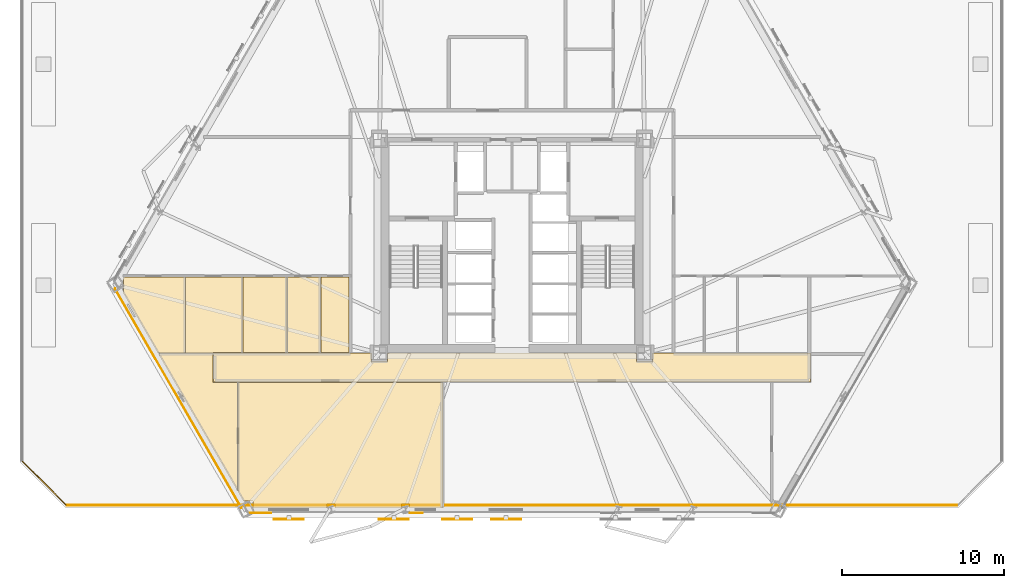
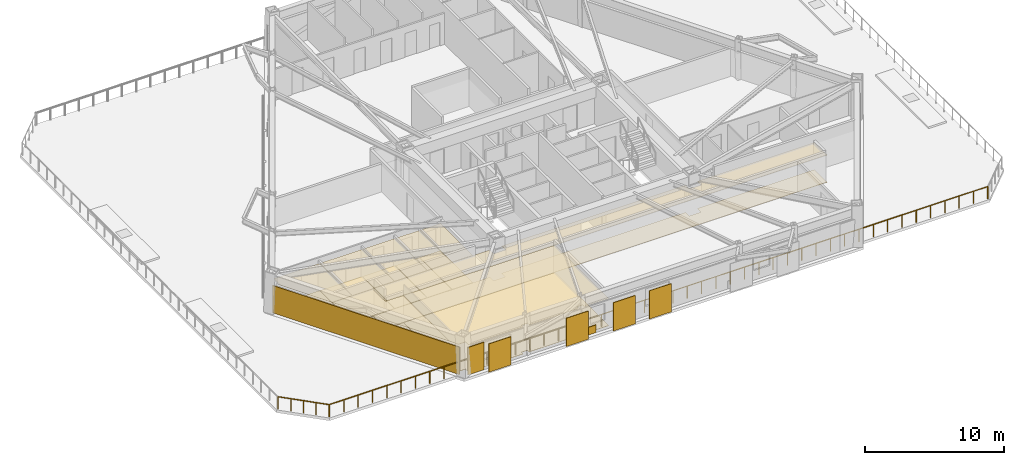
# One storey, part 7 of 14: 19 coverings, 4 shading devices, 2 railings.
"""IFC4 building model written with IfcOpenShell, lengths in metres."""

from ifc_helpers import new_model, si_unit, direction, frame, origin, origin_2d, place, context, subcontext, project, spatial, polyline, rectangle, circle, outline, extrude, material, layer, layer_set, type_object, element, save


model = new_model("IFC4")

# Units and contexts
model_context = context("Model", 3, precision=1e-05, world=origin(), true_north=direction((0.0, 1.0)))
body_context = subcontext(model_context, "Body", "Model", "MODEL_VIEW")
ifc_project = project(units=[si_unit("LENGTHUNIT", "METRE"), si_unit("AREAUNIT", "SQUARE_METRE"), si_unit("VOLUMEUNIT", "CUBIC_METRE"), si_unit("PLANEANGLEUNIT", "RADIAN"), si_unit("MASSUNIT", "GRAM", prefix="KILO")], contexts=[model_context])

# Site, building, storey
site_placement = place(None, origin())
site = spatial("IfcSite", under=ifc_project, at=site_placement, CompositionType="ELEMENT")
building_placement = place(site_placement, origin())
building = spatial("IfcBuilding", under=site, at=building_placement, Name="Oramaril Tower", CompositionType="ELEMENT")
storey_placement = place(building_placement, frame((0.0, 0.0, 27.300048828125)))
storey = spatial("IfcBuildingStorey", under=building, at=storey_placement, Name="L06", CompositionType="ELEMENT", Elevation=27.300048828125)

# Coverings
ifc_material_1 = material(Name="Mineral Fibre Acoustic Ceiling")
ifc_layer_1 = layer(ifc_material_1, 0.02001953125)
ifc_layer_set_1 = layer_set([ifc_layer_1], Name="CVT-CEIL")
covering_type_1 = type_object("IfcCoveringType", Name="CVT-CEIL", PredefinedType="CEILING", material=ifc_layer_set_1)
covering_1_placement = place(storey_placement, frame((0.0, 0.0, 2.39990234375)))
element("IfcCovering", 1, at=covering_1_placement, inside=storey, type_object=covering_type_1, Name="L06 Acoustic Suspended Ceiling 1", PredefinedType="CEILING", context=body_context, shape_type="SweptSolid", body=[
    extrude(outline(polyline([(28.85498046875, 10.5048828125), (29.844970703125, 10.5048828125), (29.844970703125, 11.030029296875), (45.155029296875, 11.030029296875), (45.155029296875, 10.5048828125), (46.14501953125, 10.5048828125), (46.14501953125, 11.030029296875), (55.8798828125, 11.030029296875), (55.8798828125, 9.219970703125), (19.1201171875, 9.219970703125), (19.1201171875, 11.030029296875), (28.85498046875, 11.030029296875), (28.85498046875, 10.5048828125)])), origin(), (0.0, 0.0, 1.0), 0.02001953125),
])
covering_2_placement = place(storey_placement, frame((0.0, 0.0, 2.39990234375)))
element("IfcCovering", 2, at=covering_2_placement, inside=storey, type_object=covering_type_1, Name="L06 Acoustic Suspended Ceiling 6", PredefinedType="CEILING", context=body_context, shape_type="SweptSolid", body=[
    extrude(outline(polyline([(31.192138671875, 1.70263671875), (30.697998046875, 1.70263671875), (30.697998046875, 1.468017578125), (26.61083984375, 1.468017578125), (26.61083984375, 1.70263671875), (26.1025390625, 1.70263671875), (26.1025390625, 1.468017578125), (21.557861328125, 1.468017578125), (21.557861328125, 1.8857421875), (20.958984375, 1.8857421875), (20.611572265625, 2.48779296875), (20.611572265625, 9.199951171875), (33.241943359375, 9.199951171875), (33.241943359375, 1.468017578125), (31.192138671875, 1.468017578125), (31.192138671875, 1.70263671875)])), origin(), (0.0, 0.0, 1.0), 0.02001953125),
])
covering_3_placement = place(storey_placement, frame((0.0, 0.0, 2.39990234375)))
element("IfcCovering", 3, at=covering_3_placement, inside=storey, type_object=covering_type_1, Name="L06 Acoustic Suspended Ceiling 7", PredefinedType="CEILING", context=body_context, shape_type="SweptSolid", body=[
    extrude(outline(polyline([(15.70166015625, 10.991943359375), (19.10009765625, 10.991943359375), (19.10009765625, 9.219970703125), (19.10009765625, 9.218017578125), (19.100341796875, 9.216064453125), (19.100830078125, 9.214111328125), (19.1015625, 9.21240234375), (19.102294921875, 9.210693359375), (19.103515625, 9.208984375), (19.1044921875, 9.207275390625), (19.10595703125, 9.205810546875), (19.107421875, 9.20458984375), (19.10888671875, 9.203369140625), (19.110595703125, 9.202392578125), (19.1123046875, 9.201416015625), (19.1142578125, 9.200927734375), (19.1162109375, 9.200439453125), (19.117919921875, 9.2001953125), (19.1201171875, 9.199951171875), (20.591552734375, 9.199951171875), (20.591552734375, 2.5224609375), (15.70166015625, 10.991943359375)])), origin(), (0.0, 0.0, 1.0), 0.02001953125),
])
covering_4_placement = place(storey_placement, frame((0.0, 0.0, 2.39990234375)))
element("IfcCovering", 4, at=covering_4_placement, inside=storey, type_object=covering_type_1, Name="L06 Acoustic Suspended Ceiling 11", PredefinedType="CEILING", context=body_context, shape_type="SweptSolid", body=[
    extrude(outline(polyline([(13.512451171875, 14.78369140625), (13.576171875, 14.78369140625), (13.576171875, 15.701171875), (17.384033203125, 15.701171875), (17.384033203125, 11.011962890625), (15.70166015625, 11.011962890625), (15.69970703125, 11.011962890625), (15.69775390625, 11.01171875), (15.69580078125, 11.010986328125), (15.69384765625, 11.010498046875), (15.692138671875, 11.009521484375), (15.691650390625, 11.00927734375), (13.512451171875, 14.78369140625)])), origin(), (0.0, 0.0, 1.0), 0.02001953125),
])
covering_5_placement = place(storey_placement, frame((0.0, 0.0, 2.39990234375)))
element("IfcCovering", 5, at=covering_5_placement, inside=storey, type_object=covering_type_1, Name="L06 Acoustic Suspended Ceiling 12", PredefinedType="CEILING", context=body_context, shape_type="SweptSolid", body=[
    extrude(outline(polyline([(20.92236328125, 11.050048828125), (19.1201171875, 11.050048828125), (19.117919921875, 11.0498046875), (19.1162109375, 11.049560546875), (19.1142578125, 11.049072265625), (19.1123046875, 11.048583984375), (19.110595703125, 11.047607421875), (19.10888671875, 11.046630859375), (19.107421875, 11.04541015625), (19.10595703125, 11.044189453125), (19.1044921875, 11.042724609375), (19.103515625, 11.041015625), (19.102294921875, 11.039306640625), (19.1015625, 11.03759765625), (19.100830078125, 11.035888671875), (19.100341796875, 11.033935546875), (19.10009765625, 11.031982421875), (19.10009765625, 11.030029296875), (19.10009765625, 11.011962890625), (17.404052734375, 11.011962890625), (17.404052734375, 15.701171875), (20.92236328125, 15.701171875), (20.92236328125, 11.050048828125)])), origin(), (0.0, 0.0, 1.0), 0.02001953125),
])
covering_6_placement = place(storey_placement, frame((0.0, 0.0, 2.39990234375)))
element("IfcCovering", 6, at=covering_6_placement, inside=storey, type_object=covering_type_1, Name="L06 Acoustic Suspended Ceiling 13", PredefinedType="CEILING", context=body_context, shape_type="SweptSolid", body=[
    extrude(outline(polyline([(23.652099609375, 11.050048828125), (20.9423828125, 11.050048828125), (20.9423828125, 15.701171875), (23.652099609375, 15.701171875), (23.652099609375, 11.050048828125)])), origin(), (0.0, 0.0, 1.0), 0.02001953125),
])
covering_7_placement = place(storey_placement, frame((0.0, 0.0, 2.39990234375)))
element("IfcCovering", 7, at=covering_7_placement, inside=storey, type_object=covering_type_1, Name="L06 Acoustic Suspended Ceiling 14", PredefinedType="CEILING", context=body_context, shape_type="SweptSolid", body=[
    extrude(outline(polyline([(25.701904296875, 11.050048828125), (23.672119140625, 11.050048828125), (23.672119140625, 15.701171875), (25.701904296875, 15.701171875), (25.701904296875, 11.050048828125)])), origin(), (0.0, 0.0, 1.0), 0.02001953125),
])
covering_8_placement = place(storey_placement, frame((0.0, 0.0, 2.39990234375)))
element("IfcCovering", 8, at=covering_8_placement, inside=storey, type_object=covering_type_1, Name="L06 Acoustic Suspended Ceiling 15", PredefinedType="CEILING", context=body_context, shape_type="SweptSolid", body=[
    extrude(outline(polyline([(25.721923828125, 15.701171875), (27.449951171875, 15.701171875), (27.449951171875, 11.050048828125), (25.721923828125, 11.050048828125), (25.721923828125, 15.701171875)])), origin(), (0.0, 0.0, 1.0), 0.02001953125),
])
ifc_material_2 = material(Name="Warm Cream Limestone", Category="masonry")
ifc_layer_2 = layer(ifc_material_2, 0.050048828125)
ifc_layer_set_2 = layer_set([ifc_layer_2], Name="CVT-CLD")
covering_type_2 = type_object("IfcCoveringType", Name="CVT-CLD", PredefinedType="CLADDING", material=ifc_layer_set_2)
covering_9_placement = place(storey_placement, frame((16.94677734375, 8.2333984375, 0.0400390625), z_axis=(0.0, 0.0, 1.0), x_axis=(0.499996976998, -0.866027149108, 0.0)))
element("IfcCovering", 9, at=covering_9_placement, inside=storey, type_object=covering_type_2, Name="L06 Warm Cream Limestone Cladding", PredefinedType="CLADDING", context=body_context, shape_type="SweptSolid", body=[
    extrude(rectangle(XDim=15.596435546875, YDim=0.050048828125, at=origin_2d()), origin(), (0.0, 0.0, 1.0), 2.4140625),
])
covering_10_placement = place(storey_placement, frame((21.98779296875, 1.1669921875, 0.0400390625), z_axis=(0.0, 0.0, 1.0), x_axis=(1.0, 0.0, 0.0)))
element("IfcCovering", 10, at=covering_10_placement, inside=storey, type_object=covering_type_2, Name="L06 Warm Cream Limestone Cladding", PredefinedType="CLADDING", context=body_context, shape_type="SweptSolid", body=[
    extrude(rectangle(XDim=1.35009765625, YDim=0.050048828125, at=origin_2d()), origin(), (0.0, 0.0, 1.0), 2.4140625),
])
covering_11_placement = place(storey_placement, frame((31.609619140625, 1.1669921875, 0.0400390625), z_axis=(0.0, 0.0, 1.0), x_axis=(1.0, 0.0, 0.0)))
element("IfcCovering", 11, at=covering_11_placement, inside=storey, type_object=covering_type_2, Name="L06 Warm Cream Limestone Spandrel Cladding", PredefinedType="CLADDING", context=body_context, shape_type="SweptSolid", body=[
    extrude(rectangle(XDim=0.800048828125, YDim=0.050048828125, at=origin_2d()), origin(), (0.0, 0.0, 1.0), 0.679931640625),
])
ifc_material_3 = material(Name="Honed Quartzite Stone Flooring", Category="masonry")
ifc_layer_3 = layer(ifc_material_3, 0.02490234375)
ifc_layer_set_3 = layer_set([ifc_layer_3], Name="CVT-FLR")
covering_type_3 = type_object("IfcCoveringType", Name="CVT-FLR", PredefinedType="FLOORING", material=ifc_layer_set_3)
covering_12_placement = place(storey_placement, origin())
element("IfcCovering", 12, at=covering_12_placement, inside=storey, type_object=covering_type_3, Name="L06 Honed Stone Floor Finish 1", PredefinedType="FLOORING", context=body_context, shape_type="SweptSolid", body=[
    extrude(outline(polyline([(28.85498046875, 10.5048828125), (29.844970703125, 10.5048828125), (29.844970703125, 11.030029296875), (45.155029296875, 11.030029296875), (45.155029296875, 10.5048828125), (46.14501953125, 10.5048828125), (46.14501953125, 11.030029296875), (55.8798828125, 11.030029296875), (55.8798828125, 9.219970703125), (19.1201171875, 9.219970703125), (19.1201171875, 11.030029296875), (28.85498046875, 11.030029296875), (28.85498046875, 10.5048828125)])), origin(), (0.0, 0.0, 1.0), 0.02490234375),
])
covering_13_placement = place(storey_placement, origin())
element("IfcCovering", 13, at=covering_13_placement, inside=storey, type_object=covering_type_3, Name="L06 Honed Stone Floor Finish 6", PredefinedType="FLOORING", context=body_context, shape_type="SweptSolid", body=[
    extrude(outline(polyline([(31.192138671875, 1.70263671875), (30.697998046875, 1.70263671875), (30.697998046875, 1.468017578125), (26.61083984375, 1.468017578125), (26.61083984375, 1.70263671875), (26.1025390625, 1.70263671875), (26.1025390625, 1.468017578125), (21.557861328125, 1.468017578125), (21.557861328125, 1.8857421875), (20.958984375, 1.8857421875), (20.611572265625, 2.48779296875), (20.611572265625, 9.199951171875), (33.241943359375, 9.199951171875), (33.241943359375, 1.468017578125), (31.192138671875, 1.468017578125), (31.192138671875, 1.70263671875)])), origin(), (0.0, 0.0, 1.0), 0.02490234375),
])
covering_14_placement = place(storey_placement, origin())
element("IfcCovering", 14, at=covering_14_placement, inside=storey, type_object=covering_type_3, Name="L06 Honed Stone Floor Finish 7", PredefinedType="FLOORING", context=body_context, shape_type="SweptSolid", body=[
    extrude(outline(polyline([(15.70166015625, 10.991943359375), (19.10009765625, 10.991943359375), (19.10009765625, 9.219970703125), (19.10009765625, 9.218017578125), (19.100341796875, 9.216064453125), (19.100830078125, 9.214111328125), (19.1015625, 9.21240234375), (19.102294921875, 9.210693359375), (19.103515625, 9.208984375), (19.1044921875, 9.207275390625), (19.10595703125, 9.205810546875), (19.107421875, 9.20458984375), (19.10888671875, 9.203369140625), (19.110595703125, 9.202392578125), (19.1123046875, 9.201416015625), (19.1142578125, 9.200927734375), (19.1162109375, 9.200439453125), (19.117919921875, 9.2001953125), (19.1201171875, 9.199951171875), (20.591552734375, 9.199951171875), (20.591552734375, 2.5224609375), (15.70166015625, 10.991943359375)])), origin(), (0.0, 0.0, 1.0), 0.02490234375),
])
covering_15_placement = place(storey_placement, origin())
element("IfcCovering", 15, at=covering_15_placement, inside=storey, type_object=covering_type_3, Name="L06 Honed Stone Floor Finish 11", PredefinedType="FLOORING", context=body_context, shape_type="SweptSolid", body=[
    extrude(outline(polyline([(13.512451171875, 14.78369140625), (13.576171875, 14.78369140625), (13.576171875, 15.701171875), (17.384033203125, 15.701171875), (17.384033203125, 11.011962890625), (15.70166015625, 11.011962890625), (15.69970703125, 11.011962890625), (15.69775390625, 11.01171875), (15.69580078125, 11.010986328125), (15.69384765625, 11.010498046875), (15.692138671875, 11.009521484375), (15.691650390625, 11.00927734375), (13.512451171875, 14.78369140625)])), origin(), (0.0, 0.0, 1.0), 0.02490234375),
])
covering_16_placement = place(storey_placement, origin())
element("IfcCovering", 16, at=covering_16_placement, inside=storey, type_object=covering_type_3, Name="L06 Honed Stone Floor Finish 12", PredefinedType="FLOORING", context=body_context, shape_type="SweptSolid", body=[
    extrude(outline(polyline([(20.92236328125, 11.050048828125), (19.1201171875, 11.050048828125), (19.117919921875, 11.0498046875), (19.1162109375, 11.049560546875), (19.1142578125, 11.049072265625), (19.1123046875, 11.048583984375), (19.110595703125, 11.047607421875), (19.10888671875, 11.046630859375), (19.107421875, 11.04541015625), (19.10595703125, 11.044189453125), (19.1044921875, 11.042724609375), (19.103515625, 11.041015625), (19.102294921875, 11.039306640625), (19.1015625, 11.03759765625), (19.100830078125, 11.035888671875), (19.100341796875, 11.033935546875), (19.10009765625, 11.031982421875), (19.10009765625, 11.030029296875), (19.10009765625, 11.011962890625), (17.404052734375, 11.011962890625), (17.404052734375, 15.701171875), (20.92236328125, 15.701171875), (20.92236328125, 11.050048828125)])), origin(), (0.0, 0.0, 1.0), 0.02490234375),
])
covering_17_placement = place(storey_placement, origin())
element("IfcCovering", 17, at=covering_17_placement, inside=storey, type_object=covering_type_3, Name="L06 Honed Stone Floor Finish 13", PredefinedType="FLOORING", context=body_context, shape_type="SweptSolid", body=[
    extrude(outline(polyline([(23.652099609375, 11.050048828125), (20.9423828125, 11.050048828125), (20.9423828125, 15.701171875), (23.652099609375, 15.701171875), (23.652099609375, 11.050048828125)])), origin(), (0.0, 0.0, 1.0), 0.02490234375),
])
covering_18_placement = place(storey_placement, origin())
element("IfcCovering", 18, at=covering_18_placement, inside=storey, type_object=covering_type_3, Name="L06 Honed Stone Floor Finish 14", PredefinedType="FLOORING", context=body_context, shape_type="SweptSolid", body=[
    extrude(outline(polyline([(25.701904296875, 11.050048828125), (23.672119140625, 11.050048828125), (23.672119140625, 15.701171875), (25.701904296875, 15.701171875), (25.701904296875, 11.050048828125)])), origin(), (0.0, 0.0, 1.0), 0.02490234375),
])
covering_19_placement = place(storey_placement, origin())
element("IfcCovering", 19, at=covering_19_placement, inside=storey, type_object=covering_type_3, Name="L06 Honed Stone Floor Finish 15", PredefinedType="FLOORING", context=body_context, shape_type="SweptSolid", body=[
    extrude(outline(polyline([(25.721923828125, 15.701171875), (27.449951171875, 15.701171875), (27.449951171875, 11.050048828125), (25.721923828125, 11.050048828125), (25.721923828125, 15.701171875)])), origin(), (0.0, 0.0, 1.0), 0.02490234375),
])

# Railings
ifc_material_4 = material(Name="Stainless Steel 316L", Category="steel")
railing_type = type_object("IfcRailingType", Name="RLT-GRD", PredefinedType="GUARDRAIL", material=ifc_material_4)
railing_1_placement = place(storey_placement, frame((10.087890625, 1.639892578125, 0.0)))
element("IfcRailing", 20, at=railing_1_placement, inside=storey, type_object=railing_type, Name="L06 Podium Terrace Guardrail 01", PredefinedType="GUARDRAIL", context=body_context, shape_type="SweptSolid", body=[
    extrude(circle(Radius=0.02392578125, at=origin_2d()), frame((0.0, 0.0, 1.076171875), z_axis=(1.0, 0.0, 0.0), x_axis=(0.0, 1.0, 0.0)), (0.0, 0.0, 1.0), 54.82421875),
    extrude(circle(Radius=0.02099609375, at=origin_2d()), origin(), (0.0, 0.0, 1.0), 1.052001953125),
    extrude(circle(Radius=0.02099609375, at=origin_2d()), frame((1.19189453125, 0.0, 0.0)), (0.0, 0.0, 1.0), 1.052001953125),
    extrude(circle(Radius=0.02099609375, at=origin_2d()), frame((2.383544921875, 0.0, 0.0)), (0.0, 0.0, 1.0), 1.052001953125),
    extrude(circle(Radius=0.02099609375, at=origin_2d()), frame((3.575439453125, 0.0, 0.0)), (0.0, 0.0, 1.0), 1.052001953125),
    extrude(circle(Radius=0.02099609375, at=origin_2d()), frame((4.767333984375, 0.0, 0.0)), (0.0, 0.0, 1.0), 1.052001953125),
    extrude(circle(Radius=0.02099609375, at=origin_2d()), frame((5.959228515625, 0.0, 0.0)), (0.0, 0.0, 1.0), 1.052001953125),
    extrude(circle(Radius=0.02099609375, at=origin_2d()), frame((7.15087890625, 0.0, 0.0)), (0.0, 0.0, 1.0), 1.052001953125),
    extrude(circle(Radius=0.02099609375, at=origin_2d()), frame((8.3427734375, 0.0, 0.0)), (0.0, 0.0, 1.0), 1.052001953125),
    extrude(circle(Radius=0.02099609375, at=origin_2d()), frame((9.53466796875, 0.0, 0.0)), (0.0, 0.0, 1.0), 1.052001953125),
    extrude(circle(Radius=0.02099609375, at=origin_2d()), frame((10.7265625, 0.0, 0.0)), (0.0, 0.0, 1.0), 1.052001953125),
    extrude(circle(Radius=0.02099609375, at=origin_2d()), frame((11.918212890625, 0.0, 0.0)), (0.0, 0.0, 1.0), 1.052001953125),
    extrude(circle(Radius=0.02099609375, at=origin_2d()), frame((13.110107421875, 0.0, 0.0)), (0.0, 0.0, 1.0), 1.052001953125),
    extrude(circle(Radius=0.02099609375, at=origin_2d()), frame((14.302001953125, 0.0, 0.0)), (0.0, 0.0, 1.0), 1.052001953125),
    extrude(circle(Radius=0.02099609375, at=origin_2d()), frame((15.493896484375, 0.0, 0.0)), (0.0, 0.0, 1.0), 1.052001953125),
    extrude(circle(Radius=0.02099609375, at=origin_2d()), frame((16.685546875, 0.0, 0.0)), (0.0, 0.0, 1.0), 1.052001953125),
    extrude(circle(Radius=0.02099609375, at=origin_2d()), frame((17.87744140625, 0.0, 0.0)), (0.0, 0.0, 1.0), 1.052001953125),
    extrude(circle(Radius=0.02099609375, at=origin_2d()), frame((19.0693359375, 0.0, 0.0)), (0.0, 0.0, 1.0), 1.052001953125),
    extrude(circle(Radius=0.02099609375, at=origin_2d()), frame((20.26123046875, 0.0, 0.0)), (0.0, 0.0, 1.0), 1.052001953125),
    extrude(circle(Radius=0.02099609375, at=origin_2d()), frame((21.452880859375, 0.0, 0.0)), (0.0, 0.0, 1.0), 1.052001953125),
    extrude(circle(Radius=0.02099609375, at=origin_2d()), frame((22.644775390625, 0.0, 0.0)), (0.0, 0.0, 1.0), 1.052001953125),
    extrude(circle(Radius=0.02099609375, at=origin_2d()), frame((23.836669921875, 0.0, 0.0)), (0.0, 0.0, 1.0), 1.052001953125),
    extrude(circle(Radius=0.02099609375, at=origin_2d()), frame((25.028564453125, 0.0, 0.0)), (0.0, 0.0, 1.0), 1.052001953125),
    extrude(circle(Radius=0.02099609375, at=origin_2d()), frame((26.22021484375, 0.0, 0.0)), (0.0, 0.0, 1.0), 1.052001953125),
    extrude(circle(Radius=0.02099609375, at=origin_2d()), frame((27.412109375, 0.0, 0.0)), (0.0, 0.0, 1.0), 1.052001953125),
    extrude(circle(Radius=0.02099609375, at=origin_2d()), frame((28.60400390625, 0.0, 0.0)), (0.0, 0.0, 1.0), 1.052001953125),
    extrude(circle(Radius=0.02099609375, at=origin_2d()), frame((29.795654296875, 0.0, 0.0)), (0.0, 0.0, 1.0), 1.052001953125),
    extrude(circle(Radius=0.02099609375, at=origin_2d()), frame((30.987548828125, 0.0, 0.0)), (0.0, 0.0, 1.0), 1.052001953125),
    extrude(circle(Radius=0.02099609375, at=origin_2d()), frame((32.179443359375, 0.0, 0.0)), (0.0, 0.0, 1.0), 1.052001953125),
    extrude(circle(Radius=0.02099609375, at=origin_2d()), frame((33.371337890625, 0.0, 0.0)), (0.0, 0.0, 1.0), 1.052001953125),
    extrude(circle(Radius=0.02099609375, at=origin_2d()), frame((34.56298828125, 0.0, 0.0)), (0.0, 0.0, 1.0), 1.052001953125),
    extrude(circle(Radius=0.02099609375, at=origin_2d()), frame((35.7548828125, 0.0, 0.0)), (0.0, 0.0, 1.0), 1.052001953125),
    extrude(circle(Radius=0.02099609375, at=origin_2d()), frame((36.94677734375, 0.0, 0.0)), (0.0, 0.0, 1.0), 1.052001953125),
    extrude(circle(Radius=0.02099609375, at=origin_2d()), frame((38.138671875, 0.0, 0.0)), (0.0, 0.0, 1.0), 1.052001953125),
    extrude(circle(Radius=0.02099609375, at=origin_2d()), frame((39.330322265625, 0.0, 0.0)), (0.0, 0.0, 1.0), 1.052001953125),
    extrude(circle(Radius=0.02099609375, at=origin_2d()), frame((40.522216796875, 0.0, 0.0)), (0.0, 0.0, 1.0), 1.052001953125),
    extrude(circle(Radius=0.02099609375, at=origin_2d()), frame((41.714111328125, 0.0, 0.0)), (0.0, 0.0, 1.0), 1.052001953125),
    extrude(circle(Radius=0.02099609375, at=origin_2d()), frame((42.906005859375, 0.0, 0.0)), (0.0, 0.0, 1.0), 1.052001953125),
    extrude(circle(Radius=0.02099609375, at=origin_2d()), frame((44.09765625, 0.0, 0.0)), (0.0, 0.0, 1.0), 1.052001953125),
    extrude(circle(Radius=0.02099609375, at=origin_2d()), frame((45.28955078125, 0.0, 0.0)), (0.0, 0.0, 1.0), 1.052001953125),
    extrude(circle(Radius=0.02099609375, at=origin_2d()), frame((46.4814453125, 0.0, 0.0)), (0.0, 0.0, 1.0), 1.052001953125),
    extrude(circle(Radius=0.02099609375, at=origin_2d()), frame((47.67333984375, 0.0, 0.0)), (0.0, 0.0, 1.0), 1.052001953125),
    extrude(circle(Radius=0.02099609375, at=origin_2d()), frame((48.864990234375, 0.0, 0.0)), (0.0, 0.0, 1.0), 1.052001953125),
    extrude(circle(Radius=0.02099609375, at=origin_2d()), frame((50.056884765625, 0.0, 0.0)), (0.0, 0.0, 1.0), 1.052001953125),
    extrude(circle(Radius=0.02099609375, at=origin_2d()), frame((51.248779296875, 0.0, 0.0)), (0.0, 0.0, 1.0), 1.052001953125),
    extrude(circle(Radius=0.02099609375, at=origin_2d()), frame((52.440673828125, 0.0, 0.0)), (0.0, 0.0, 1.0), 1.052001953125),
    extrude(circle(Radius=0.02099609375, at=origin_2d()), frame((53.63232421875, 0.0, 0.0)), (0.0, 0.0, 1.0), 1.052001953125),
    extrude(circle(Radius=0.02099609375, at=origin_2d()), frame((54.82421875, 0.0, 0.0)), (0.0, 0.0, 1.0), 1.052001953125),
])
railing_2_placement = place(storey_placement, frame((7.361083984375, 4.3369140625, 0.0)))
element("IfcRailing", 21, at=railing_2_placement, inside=storey, type_object=railing_type, Name="L06 Podium Terrace Guardrail 08", PredefinedType="GUARDRAIL", context=body_context, shape_type="SweptSolid", body=[
    extrude(circle(Radius=0.02392578125, at=origin_2d()), frame((0.0, 0.0, 1.076171875), z_axis=(0.707106781187, -0.707106781187, 0.0), x_axis=(0.707106781187, 0.707106781187, 0.0)), (0.0, 0.0, 1.0), 3.7841796875),
    extrude(circle(Radius=0.02099609375, at=origin_2d()), origin(), (0.0, 0.0, 1.0), 1.052001953125),
    extrude(circle(Radius=0.02099609375, at=origin_2d()), frame((0.6689453125, -0.6689453125, 0.0)), (0.0, 0.0, 1.0), 1.052001953125),
    extrude(circle(Radius=0.02099609375, at=origin_2d()), frame((1.337890625, -1.337890625, 0.0)), (0.0, 0.0, 1.0), 1.052001953125),
    extrude(circle(Radius=0.02099609375, at=origin_2d()), frame((2.0068359375, -2.0068359375, 0.0)), (0.0, 0.0, 1.0), 1.052001953125),
    extrude(circle(Radius=0.02099609375, at=origin_2d()), frame((2.67578125, -2.67578125, 0.0)), (0.0, 0.0, 1.0), 1.052001953125),
])

# Shading devices
for number, where, z_axis, x_axis, name in (
    (22, (23.75830078125, 0.780029296875, -0.02001953125), (0.0, 0.0, 1.0), (1.0, 0.0, 0.0), "L06 Perforated Ceramic Solar Screen"),
    (23, (30.223388671875, 0.780029296875, -0.02001953125), (0.0, 0.0, 1.0), (1.0, 0.0, 0.0), "L06 Perforated Ceramic Solar Screen"),
    (24, (34.123291015625, 0.780029296875, -0.02001953125), (0.0, 0.0, 1.0), (1.0, 0.0, 0.0), "L06 Perforated Ceramic Solar Screen"),
    (25, (37.138916015625, 0.780029296875, -0.02001953125), (0.0, 0.0, 1.0), (1.0, 0.0, 0.0), "L06 Perforated Ceramic Solar Screen"),
):
    element("IfcShadingDevice", number, at=place(storey_placement, frame(where, z_axis=z_axis, x_axis=x_axis)), inside=storey, Name=name, ObjectType="SCREEN", PredefinedType="USERDEFINED", context=body_context, shape_type="SweptSolid", body=[
        extrude(rectangle(XDim=1.8330078125, YDim=0.050048828125, at=origin_2d()), origin(), (0.0, 0.0, 1.0), 2.493896484375),
    ])

save(model, "model.ifc")
